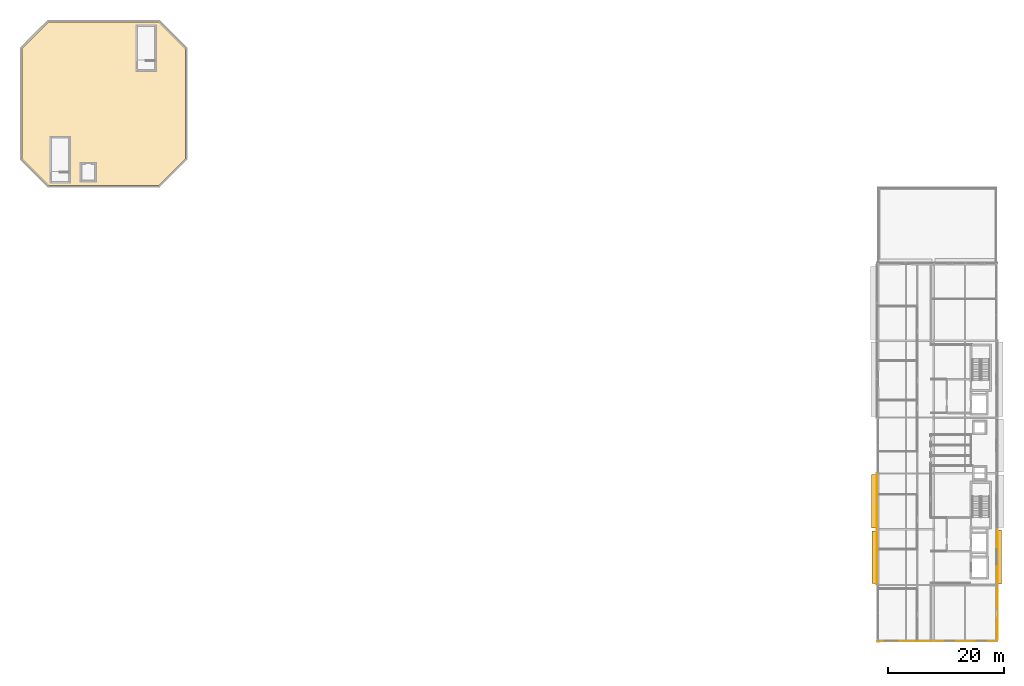
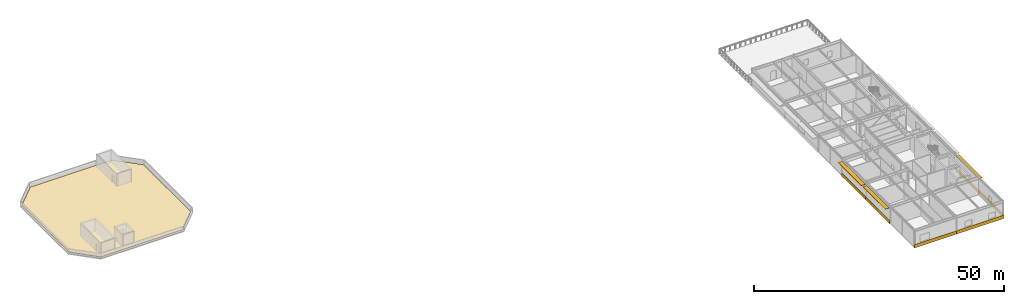
# One storey, part 18 of 22: 7 coverings, 3 shading devices.
"""IFC4 building model written with IfcOpenShell, lengths in metres."""

from ifc_helpers import new_model, si_unit, direction, frame, origin, origin_2d, place, context, subcontext, project, spatial, polyline, rectangle, outline, extrude, material, layer, layer_set, type_object, element, save


model = new_model("IFC4")

# Units and contexts
model_context = context("Model", 3, precision=1e-05, world=origin(), true_north=direction((0.0, 1.0)))
body_context = subcontext(model_context, "Body", "Model", "MODEL_VIEW")
ifc_project = project(units=[si_unit("LENGTHUNIT", "METRE"), si_unit("AREAUNIT", "SQUARE_METRE"), si_unit("VOLUMEUNIT", "CUBIC_METRE"), si_unit("PLANEANGLEUNIT", "RADIAN"), si_unit("MASSUNIT", "GRAM", prefix="KILO")], contexts=[model_context])

# Site, building, storey
site_placement = place(None, origin())
site = spatial("IfcSite", under=ifc_project, at=site_placement, CompositionType="ELEMENT")
building_placement = place(site_placement, origin())
building = spatial("IfcBuilding", under=site, at=building_placement, Name="Almandine Court Research Institute", CompositionType="ELEMENT")
storey_placement = place(building_placement, frame((0.0, 0.0, 28.0)))
storey = spatial("IfcBuildingStorey", under=building, at=storey_placement, Name="L06", CompositionType="ELEMENT", Elevation=28.0)

# Coverings
ifc_material_1 = material(Name="Extruded Cream-Ochre Seismic Terracotta Spandrel", Category="masonry")
ifc_layer_1 = layer(ifc_material_1, 0.054931640625)
ifc_layer_set_1 = layer_set([ifc_layer_1], Name="Extruded Cream-Ochre Seismic Terracotta Spandrel")
covering_type_1 = type_object("IfcCoveringType", Name="Cov-CLAD-TERR", PredefinedType="CLADDING", material=ifc_layer_set_1)
for number, where, z_axis, x_axis, name in (
    (1, (153.428955078125, 20.39990234375, 0.02001953125), (0.0, 0.0, 1.0), (0.0, 1.0, 0.0), "L06 Facade Spandrel Cladding Band 201"),
    (2, (153.428955078125, 30.0, 0.02001953125), (0.0, 0.0, 1.0), (0.0, 1.0, 0.0), "L06 Facade Spandrel Cladding Band 202"),
    (3, (174.1708984375, 20.39990234375, 0.02001953125), (0.0, 0.0, 1.0), (0.0, -1.0, 0.0), "L06 Facade Spandrel Cladding Band 210"),
):
    element("IfcCovering", number, at=place(storey_placement, frame(where, z_axis=z_axis, x_axis=x_axis)), inside=storey, type_object=covering_type_1, Name=name, PredefinedType="CLADDING", context=body_context, shape_type="SweptSolid", body=[
        extrude(rectangle(XDim=9.592041015625, YDim=0.054931640625, at=origin_2d()), origin(), (0.0, 0.0, 1.0), 0.800048828125),
    ])
covering_1_placement = place(storey_placement, frame((174.1708984375, 10.873046875, 0.02001953125), z_axis=(0.0, 0.0, 1.0), x_axis=(0.0, -1.0, 0.0)))
element("IfcCovering", 4, at=covering_1_placement, inside=storey, type_object=covering_type_1, Name="L06 Facade Spandrel Cladding Band 211", PredefinedType="CLADDING", context=body_context, shape_type="SweptSolid", body=[
    extrude(rectangle(XDim=9.447021484375, YDim=0.054931640625, at=origin_2d()), origin(), (0.0, 0.0, 1.0), 0.800048828125),
])
covering_2_placement = place(storey_placement, frame((168.675048828125, 5.830078125, 0.02001953125), z_axis=(0.0, 0.0, 1.0), x_axis=(-1.0, 0.0, 0.0)))
element("IfcCovering", 5, at=covering_2_placement, inside=storey, type_object=covering_type_1, Name="L06 Facade Spandrel Cladding Band 212", PredefinedType="CLADDING", context=body_context, shape_type="SweptSolid", body=[
    extrude(rectangle(XDim=10.94091796875, YDim=0.054931640625, at=origin_2d()), origin(), (0.0, 0.0, 1.0), 0.800048828125),
])
covering_3_placement = place(storey_placement, frame((158.325927734375, 5.830078125, 0.02001953125), z_axis=(0.0, 0.0, 1.0), x_axis=(-1.0, 0.0, 0.0)))
element("IfcCovering", 6, at=covering_3_placement, inside=storey, type_object=covering_type_1, Name="L06 Facade Spandrel Cladding Band 213", PredefinedType="CLADDING", context=body_context, shape_type="SweptSolid", body=[
    extrude(rectangle(XDim=9.740966796875, YDim=0.054931640625, at=origin_2d()), origin(), (0.0, 0.0, 1.0), 0.800048828125),
])
ifc_material_2 = material(Name="Extensive Andean Sedum Planted Green Roof Build-Up")
ifc_layer_2 = layer(ifc_material_2, 0.139892578125)
ifc_layer_set_2 = layer_set([ifc_layer_2], Name="Extensive Andean Sedum Planted Green Roof Build-Up")
covering_type_2 = type_object("IfcCoveringType", Name="Cov-ROOF-GREEN", PredefinedType="ROOFING", material=ifc_layer_set_2)
covering_4_placement = place(storey_placement, origin())
element("IfcCovering", 7, at=covering_4_placement, inside=storey, type_object=covering_type_2, Name="L06 Planted Green Roof Covering 02", PredefinedType="ROOFING", context=body_context, shape_type="SweptSolid", body=[
    extrude(outline(polyline([(10.945068359375, 84.35009765625), (6.35009765625, 88.945068359375), (6.35009765625, 107.85498046875), (10.945068359375, 112.449951171875), (29.85498046875, 112.449951171875), (34.449951171875, 107.85498046875), (34.449951171875, 88.945068359375), (29.85498046875, 84.35009765625), (10.945068359375, 84.35009765625)])), origin(), (0.0, 0.0, 1.0), 0.139892578125),
])

# Shading devices
ifc_material_3 = material(Name="Precast GFRC Chhajja Sunshade and Acoustic Louvre", Category="concrete")
ifc_layer_3 = layer(ifc_material_3, 0.080078125)
ifc_layer_set_3 = layer_set([ifc_layer_3], Name="Precast GFRC Chhajja Sunshade and Acoustic Louvre")
shading_device_type_1 = type_object("IfcShadingDeviceType", Name="Shd-SD-11", PredefinedType="AWNING", material=ifc_layer_set_3)
shading_device_1_placement = place(storey_placement, frame((152.989990234375, 30.0, 3.6279296875), z_axis=(0.0, 0.0, 1.0), x_axis=(0.0, 1.0, 0.0)))
element("IfcShadingDevice", 8, at=shading_device_1_placement, inside=storey, type_object=shading_device_type_1, Name="L06 Projecting Chhajja Sunshade 140", PredefinedType="AWNING", context=body_context, shape_type="SweptSolid", body=[
    extrude(rectangle(XDim=9.241943359375, YDim=0.949951171875, at=origin_2d()), origin(), (0.0, 0.0, 1.0), 0.080078125),
])
ifc_layer_4 = layer(ifc_material_3, 0.080078125)
ifc_layer_set_4 = layer_set([ifc_layer_4], Name="Precast GFRC Chhajja Sunshade and Acoustic Louvre")
shading_device_type_2 = type_object("IfcShadingDeviceType", Name="Shd-SD-20", PredefinedType="AWNING", material=ifc_layer_set_4)
shading_device_2_placement = place(storey_placement, frame((174.510009765625, 20.39990234375, 3.618896484375), z_axis=(0.0, 0.0, 1.0), x_axis=(0.0, -1.0, 0.0)))
element("IfcShadingDevice", 9, at=shading_device_2_placement, inside=storey, type_object=shading_device_type_2, Name="L06 Projecting Chhajja Sunshade 148", PredefinedType="AWNING", context=body_context, shape_type="SweptSolid", body=[
    extrude(rectangle(XDim=9.241943359375, YDim=0.75, at=origin_2d()), origin(), (0.0, 0.0, 1.0), 0.080078125),
])
ifc_layer_5 = layer(ifc_material_3, 0.080078125)
ifc_layer_set_5 = layer_set([ifc_layer_5], Name="Precast GFRC Chhajja Sunshade and Acoustic Louvre")
shading_device_type_3 = type_object("IfcShadingDeviceType", Name="Shd-SD-46", PredefinedType="AWNING", material=ifc_layer_set_5)
shading_device_3_placement = place(storey_placement, frame((153.0400390625, 20.39990234375, 3.6279296875), z_axis=(0.0, 0.0, 1.0), x_axis=(0.0, 1.0, 0.0)))
element("IfcShadingDevice", 10, at=shading_device_3_placement, inside=storey, type_object=shading_device_type_3, Name="L06 Projecting Chhajja Sunshade 139", PredefinedType="AWNING", context=body_context, shape_type="SweptSolid", body=[
    extrude(rectangle(XDim=9.001953125, YDim=0.85009765625, at=origin_2d()), origin(), (0.0, 0.0, 1.0), 0.080078125),
])

save(model, "model.ifc")
